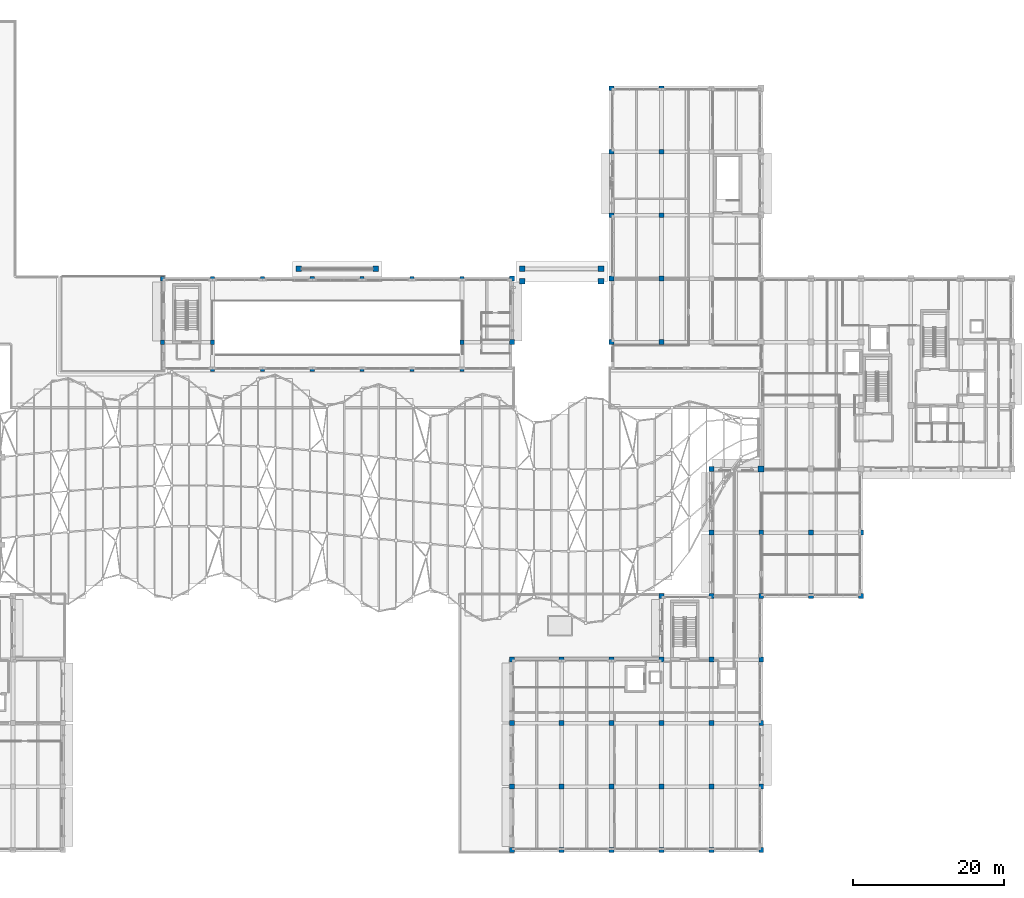
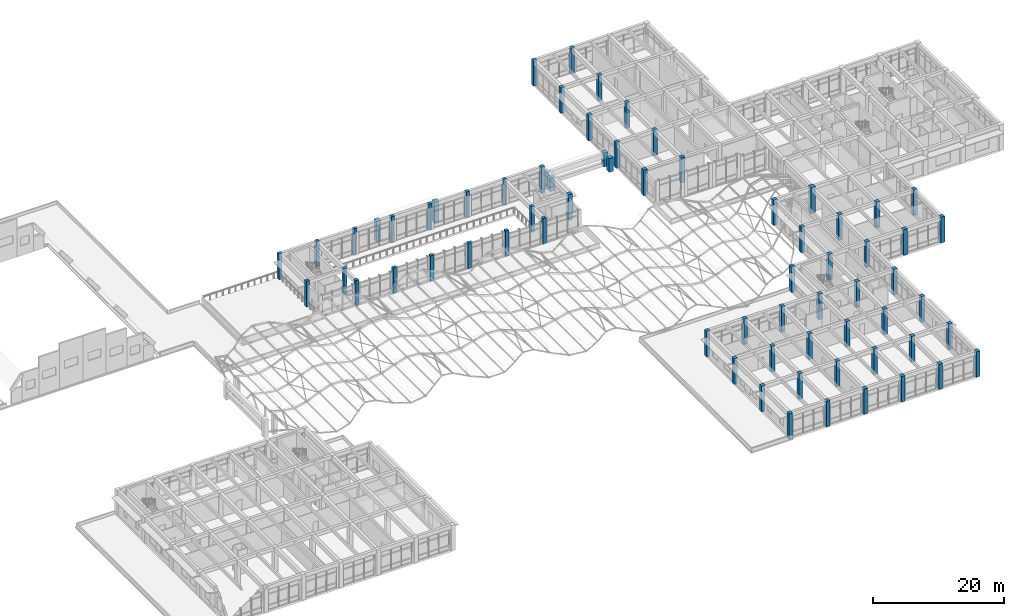
# One storey, part 3 of 79: 69 columns.
"""IFC4 building model written with IfcOpenShell, lengths in metres."""

from ifc_helpers import new_model, si_unit, direction, frame, origin, origin_2d, place, context, subcontext, project, spatial, rectangle, extrude, material, material_profile, profile_set, type_object, element, save


model = new_model("IFC4")

# Units and contexts
model_context = context("Model", 3, precision=1e-05, world=origin(), true_north=direction((0.0, 1.0)))
body_context = subcontext(model_context, "Body", "Model", "MODEL_VIEW")
ifc_project = project(units=[si_unit("LENGTHUNIT", "METRE"), si_unit("AREAUNIT", "SQUARE_METRE"), si_unit("VOLUMEUNIT", "CUBIC_METRE"), si_unit("PLANEANGLEUNIT", "RADIAN"), si_unit("MASSUNIT", "GRAM", prefix="KILO")], contexts=[model_context])

# Site, building, storey
site_placement = place(None, origin())
site = spatial("IfcSite", under=ifc_project, at=site_placement, CompositionType="ELEMENT")
building_placement = place(site_placement, origin())
building = spatial("IfcBuilding", under=site, at=building_placement, Name="Kolvaren Faculty of Natural Sciences", CompositionType="ELEMENT")
storey_placement = place(building_placement, frame((0.0, 0.0, 10.199951171875)))
storey = spatial("IfcBuildingStorey", under=building, at=storey_placement, Name="L02", CompositionType="ELEMENT", Elevation=10.199951171875)

# Columns
ifc_material_1 = material(Name="Concrete C40/50", Category="concrete")
ifc_material_profile_1 = material_profile(ifc_material_1, rectangle(XDim=0.75, YDim=0.75, at=origin_2d()), Name="RC COL 750x750")
ifc_profile_set_1 = profile_set([ifc_material_profile_1], Name="Concrete C40/50")
column_type_1 = type_object("IfcColumnType", Name="TowerColumn_750x750", PredefinedType="COLUMN", material=ifc_profile_set_1)
for number, where, z_axis, x_axis, name in (
    (1, (77.60009765625, 85.5, 0.0), (0.0, 0.0, 1.0), (1.0, 0.0, 0.0), "North Civic Square Grand Atrium Pishtaq Portal monumental pier L (L02)"),
    (2, (87.800048828125, 85.5, 0.0), (0.0, 0.0, 1.0), (1.0, 0.0, 0.0), "North Civic Square Grand Atrium Pishtaq Portal monumental pier R (L02)"),
):
    element("IfcColumn", number, at=place(storey_placement, frame(where, z_axis=z_axis, x_axis=x_axis)), inside=storey, type_object=column_type_1, Name=name, PredefinedType="COLUMN", context=body_context, shape_type="SweptSolid", body=[
        extrude(rectangle(XDim=0.75, YDim=0.75, at=origin_2d()), origin(), (0.0, 0.0, 1.0), 3.949951171875),
    ])
for number, where, z_axis, x_axis, name in (
    (3, (107.199951171875, 85.5, 0.0), (0.0, 0.0, 1.0), (1.0, 0.0, 0.0), "North-East Square-to-Street Breezeway Pishtaq Portal monumental pier L (L02)"),
    (4, (117.60009765625, 85.5, 0.0), (0.0, 0.0, 1.0), (1.0, 0.0, 0.0), "North-East Square-to-Street Breezeway Pishtaq Portal monumental pier R (L02)"),
    (5, (107.199951171875, 83.85009765625, 0.0), (0.0, 0.0, 1.0), (1.0, 0.0, 0.0), "North-East Square-to-Street Breezeway Pishtaq Portal monumental pier LB (L02)"),
    (6, (117.60009765625, 83.85009765625, 0.0), (0.0, 0.0, 1.0), (1.0, 0.0, 0.0), "North-East Square-to-Street Breezeway Pishtaq Portal monumental pier RB (L02)"),
):
    element("IfcColumn", number, at=place(storey_placement, frame(where, z_axis=z_axis, x_axis=x_axis)), inside=storey, type_object=column_type_1, Name=name, PredefinedType="COLUMN", context=body_context, shape_type="SweptSolid", body=[
        extrude(rectangle(XDim=0.75, YDim=0.75, at=origin_2d()), origin(), (0.0, 0.0, 1.0), 2.550048828125),
    ])
ifc_material_profile_2 = material_profile(ifc_material_1, rectangle(XDim=0.800048828125, YDim=0.800048828125, at=origin_2d()), Name="RC COL 800x800")
ifc_profile_set_2 = profile_set([ifc_material_profile_2], Name="Concrete C40/50")
column_type_2 = type_object("IfcColumnType", Name="TowerColumn_800x800", PredefinedType="COLUMN", material=ifc_profile_set_2)
column_1_placement = place(storey_placement, frame((138.800048828125, 59.0, 0.0), z_axis=(0.0, 0.0, 1.0), x_axis=(1.0, 0.0, 0.0)))
element("IfcColumn", 7, at=column_1_placement, inside=storey, type_object=column_type_2, Name="L02 column TC-80 at 22/H", PredefinedType="COLUMN", context=body_context, shape_type="SweptSolid", body=[
    extrude(rectangle(XDim=0.800048828125, YDim=0.800048828125, at=origin_2d()), origin(), (0.0, 0.0, 1.0), 4.800048828125),
])
ifc_material_2 = material(Name="Concrete C35/45", Category="concrete")
ifc_material_profile_3 = material_profile(ifc_material_2, rectangle(XDim=0.550048828125, YDim=0.550048828125, at=origin_2d()), Name="RC COL 550x550")
ifc_profile_set_3 = profile_set([ifc_material_profile_3], Name="Concrete C35/45")
column_type_3 = type_object("IfcColumnType", Name="UpperColumn_550x550", PredefinedType="COLUMN", material=ifc_profile_set_3)
for number, where, z_axis, x_axis, name in (
    (8, (59.60009765625, 75.800048828125, 0.0), (0.0, 0.0, 1.0), (1.0, 0.0, 0.0), "L02 column UC-55 at 10/K"),
    (9, (59.60009765625, 84.199951171875, 0.0), (0.0, 0.0, 1.0), (1.0, 0.0, 0.0), "L02 column UC-55 at 10/L"),
    (10, (66.199951171875, 75.800048828125, 0.0), (0.0, 0.0, 1.0), (1.0, 0.0, 0.0), "L02 column UC-55 at 11/K"),
    (11, (66.199951171875, 84.199951171875, 0.0), (0.0, 0.0, 1.0), (1.0, 0.0, 0.0), "L02 column UC-55 at 11/L"),
    (12, (72.800048828125, 84.199951171875, 0.0), (0.0, 0.0, 1.0), (1.0, 0.0, 0.0), "L02 column UC-55 at 12/L"),
    (13, (79.39990234375, 84.199951171875, 0.0), (0.0, 0.0, 1.0), (1.0, 0.0, 0.0), "L02 column UC-55 at 13/L"),
    (14, (86.0, 84.199951171875, 0.0), (0.0, 0.0, 1.0), (1.0, 0.0, 0.0), "L02 column UC-55 at 14/L"),
    (15, (92.60009765625, 84.199951171875, 0.0), (0.0, 0.0, 1.0), (1.0, 0.0, 0.0), "L02 column UC-55 at 15/L"),
    (16, (99.199951171875, 75.800048828125, 0.0), (0.0, 0.0, 1.0), (1.0, 0.0, 0.0), "L02 column UC-55 at 16/K"),
    (17, (99.199951171875, 84.199951171875, 0.0), (0.0, 0.0, 1.0), (1.0, 0.0, 0.0), "L02 column UC-55 at 16/L"),
    (18, (66.199951171875, 72.199951171875, 0.0), (0.0, 0.0, 1.0), (1.0, 0.0, 0.0), "L02 atrium vault springing column UC-55 at X=66.2"),
    (19, (72.800048828125, 72.199951171875, 0.0), (0.0, 0.0, 1.0), (1.0, 0.0, 0.0), "L02 atrium vault springing column UC-55 at X=72.8"),
    (20, (79.39990234375, 72.199951171875, 0.0), (0.0, 0.0, 1.0), (1.0, 0.0, 0.0), "L02 atrium vault springing column UC-55 at X=79.4"),
    (21, (86.0, 72.199951171875, 0.0), (0.0, 0.0, 1.0), (1.0, 0.0, 0.0), "L02 atrium vault springing column UC-55 at X=86.0"),
    (22, (92.60009765625, 72.199951171875, 0.0), (0.0, 0.0, 1.0), (1.0, 0.0, 0.0), "L02 atrium vault springing column UC-55 at X=92.6"),
    (23, (99.199951171875, 72.199951171875, 0.0), (0.0, 0.0, 1.0), (1.0, 0.0, 0.0), "L02 atrium vault springing column UC-55 at X=99.2"),
):
    element("IfcColumn", number, at=place(storey_placement, frame(where, z_axis=z_axis, x_axis=x_axis)), inside=storey, type_object=column_type_3, Name=name, PredefinedType="COLUMN", context=body_context, shape_type="SweptSolid", body=[
        extrude(rectangle(XDim=0.550048828125, YDim=0.550048828125, at=origin_2d()), origin(), (0.0, 0.0, 1.0), 4.800048828125),
    ])
ifc_material_profile_4 = material_profile(ifc_material_2, rectangle(XDim=0.64990234375, YDim=0.64990234375, at=origin_2d()), Name="RC COL 650x650")
ifc_profile_set_4 = profile_set([ifc_material_profile_4], Name="Concrete C35/45")
column_type_4 = type_object("IfcColumnType", Name="WingColumn_650x650", PredefinedType="COLUMN", material=ifc_profile_set_4)
column_2_placement = place(storey_placement, frame((105.800048828125, 8.60009765625, 0.0), z_axis=(0.0, 0.0, 1.0), x_axis=(1.0, 0.0, 0.0)))
element("IfcColumn", 24, at=column_2_placement, inside=storey, type_object=column_type_4, Name="L02 column WC-65 at 17/B", PredefinedType="COLUMN", context=body_context, shape_type="SweptSolid", body=[
    extrude(rectangle(XDim=0.64990234375, YDim=0.64990234375, at=origin_2d()), origin(), (0.0, 0.0, 1.0), 4.739990234375),
])
for number, where, z_axis, x_axis, name in (
    (25, (105.800048828125, 17.0, 0.0), (0.0, 0.0, 1.0), (1.0, 0.0, 0.0), "L02 column WC-65 at 17/C"),
    (26, (105.800048828125, 25.39990234375, 0.0), (0.0, 0.0, 1.0), (1.0, 0.0, 0.0), "L02 column WC-65 at 17/D"),
    (27, (105.800048828125, 33.800048828125, 0.0), (0.0, 0.0, 1.0), (1.0, 0.0, 0.0), "L02 column WC-65 at 17/E"),
    (28, (105.800048828125, 75.800048828125, 0.0), (0.0, 0.0, 1.0), (1.0, 0.0, 0.0), "L02 column WC-65 at 17/K"),
    (29, (105.800048828125, 84.199951171875, 0.0), (0.0, 0.0, 1.0), (1.0, 0.0, 0.0), "L02 column WC-65 at 17/L"),
):
    element("IfcColumn", number, at=place(storey_placement, frame(where, z_axis=z_axis, x_axis=x_axis)), inside=storey, type_object=column_type_4, Name=name, PredefinedType="COLUMN", context=body_context, shape_type="SweptSolid", body=[
        extrude(rectangle(XDim=0.64990234375, YDim=0.64990234375, at=origin_2d()), origin(), (0.0, 0.0, 1.0), 4.800048828125),
    ])
column_3_placement = place(storey_placement, frame((112.39990234375, 8.60009765625, 0.0), z_axis=(0.0, 0.0, 1.0), x_axis=(1.0, 0.0, 0.0)))
element("IfcColumn", 30, at=column_3_placement, inside=storey, type_object=column_type_4, Name="L02 column WC-65 at 18/B", PredefinedType="COLUMN", context=body_context, shape_type="SweptSolid", body=[
    extrude(rectangle(XDim=0.64990234375, YDim=0.64990234375, at=origin_2d()), origin(), (0.0, 0.0, 1.0), 4.739990234375),
])
for number, where, z_axis, x_axis, name in (
    (31, (112.39990234375, 17.0, 0.0), (0.0, 0.0, 1.0), (1.0, 0.0, 0.0), "L02 column WC-65 at 18/C"),
    (32, (112.39990234375, 25.39990234375, 0.0), (0.0, 0.0, 1.0), (1.0, 0.0, 0.0), "L02 column WC-65 at 18/D"),
    (33, (112.39990234375, 33.800048828125, 0.0), (0.0, 0.0, 1.0), (1.0, 0.0, 0.0), "L02 column WC-65 at 18/E"),
):
    element("IfcColumn", number, at=place(storey_placement, frame(where, z_axis=z_axis, x_axis=x_axis)), inside=storey, type_object=column_type_4, Name=name, PredefinedType="COLUMN", context=body_context, shape_type="SweptSolid", body=[
        extrude(rectangle(XDim=0.64990234375, YDim=0.64990234375, at=origin_2d()), origin(), (0.0, 0.0, 1.0), 4.800048828125),
    ])
column_4_placement = place(storey_placement, frame((119.0, 8.60009765625, 0.0), z_axis=(0.0, 0.0, 1.0), x_axis=(1.0, 0.0, 0.0)))
element("IfcColumn", 34, at=column_4_placement, inside=storey, type_object=column_type_4, Name="L02 column WC-65 at 19/B", PredefinedType="COLUMN", context=body_context, shape_type="SweptSolid", body=[
    extrude(rectangle(XDim=0.64990234375, YDim=0.64990234375, at=origin_2d()), origin(), (0.0, 0.0, 1.0), 4.739990234375),
])
for number, where, z_axis, x_axis, name in (
    (35, (119.0, 17.0, 0.0), (0.0, 0.0, 1.0), (1.0, 0.0, 0.0), "L02 column WC-65 at 19/C"),
    (36, (119.0, 25.39990234375, 0.0), (0.0, 0.0, 1.0), (1.0, 0.0, 0.0), "L02 column WC-65 at 19/D"),
    (37, (119.0, 33.800048828125, 0.0), (0.0, 0.0, 1.0), (1.0, 0.0, 0.0), "L02 column WC-65 at 19/E"),
):
    element("IfcColumn", number, at=place(storey_placement, frame(where, z_axis=z_axis, x_axis=x_axis)), inside=storey, type_object=column_type_4, Name=name, PredefinedType="COLUMN", context=body_context, shape_type="SweptSolid", body=[
        extrude(rectangle(XDim=0.64990234375, YDim=0.64990234375, at=origin_2d()), origin(), (0.0, 0.0, 1.0), 4.800048828125),
    ])
for number, where, z_axis, x_axis, name in (
    (38, (119.0, 75.800048828125, 0.0), (0.0, 0.0, 1.0), (1.0, 0.0, 0.0), "L02 column WC-65 at 19/K"),
    (39, (119.0, 84.199951171875, 0.0), (0.0, 0.0, 1.0), (1.0, 0.0, 0.0), "L02 column WC-65 at 19/L"),
    (40, (119.0, 92.60009765625, 0.0), (0.0, 0.0, 1.0), (1.0, 0.0, 0.0), "L02 column WC-65 at 19/M"),
    (41, (119.0, 101.0, 0.0), (0.0, 0.0, 1.0), (1.0, 0.0, 0.0), "L02 column WC-65 at 19/N"),
    (42, (119.0, 109.39990234375, 0.0), (0.0, 0.0, 1.0), (1.0, 0.0, 0.0), "L02 column WC-65 at 19/P"),
    (43, (125.60009765625, 8.60009765625, 0.0), (0.0, 0.0, 1.0), (1.0, 0.0, 0.0), "L02 column WC-65 at 20/B"),
):
    element("IfcColumn", number, at=place(storey_placement, frame(where, z_axis=z_axis, x_axis=x_axis)), inside=storey, type_object=column_type_4, Name=name, PredefinedType="COLUMN", context=body_context, shape_type="SweptSolid", body=[
        extrude(rectangle(XDim=0.64990234375, YDim=0.64990234375, at=origin_2d()), origin(), (0.0, 0.0, 1.0), 4.739990234375),
    ])
for number, where, z_axis, x_axis, name in (
    (44, (125.60009765625, 17.0, 0.0), (0.0, 0.0, 1.0), (1.0, 0.0, 0.0), "L02 column WC-65 at 20/C"),
    (45, (125.60009765625, 25.39990234375, 0.0), (0.0, 0.0, 1.0), (1.0, 0.0, 0.0), "L02 column WC-65 at 20/D"),
    (46, (125.60009765625, 33.800048828125, 0.0), (0.0, 0.0, 1.0), (1.0, 0.0, 0.0), "L02 column WC-65 at 20/E"),
    (47, (125.60009765625, 42.199951171875, 0.0), (0.0, 0.0, 1.0), (1.0, 0.0, 0.0), "L02 column WC-65 at 20/F"),
):
    element("IfcColumn", number, at=place(storey_placement, frame(where, z_axis=z_axis, x_axis=x_axis)), inside=storey, type_object=column_type_4, Name=name, PredefinedType="COLUMN", context=body_context, shape_type="SweptSolid", body=[
        extrude(rectangle(XDim=0.64990234375, YDim=0.64990234375, at=origin_2d()), origin(), (0.0, 0.0, 1.0), 4.800048828125),
    ])
for number, where, z_axis, x_axis, name in (
    (48, (125.60009765625, 75.800048828125, 0.0), (0.0, 0.0, 1.0), (1.0, 0.0, 0.0), "L02 column WC-65 at 20/K"),
    (49, (125.60009765625, 84.199951171875, 0.0), (0.0, 0.0, 1.0), (1.0, 0.0, 0.0), "L02 column WC-65 at 20/L"),
    (50, (125.60009765625, 92.60009765625, 0.0), (0.0, 0.0, 1.0), (1.0, 0.0, 0.0), "L02 column WC-65 at 20/M"),
    (51, (125.60009765625, 101.0, 0.0), (0.0, 0.0, 1.0), (1.0, 0.0, 0.0), "L02 column WC-65 at 20/N"),
    (52, (125.60009765625, 109.39990234375, 0.0), (0.0, 0.0, 1.0), (1.0, 0.0, 0.0), "L02 column WC-65 at 20/P"),
    (53, (132.199951171875, 8.60009765625, 0.0), (0.0, 0.0, 1.0), (1.0, 0.0, 0.0), "L02 column WC-65 at 21/B"),
):
    element("IfcColumn", number, at=place(storey_placement, frame(where, z_axis=z_axis, x_axis=x_axis)), inside=storey, type_object=column_type_4, Name=name, PredefinedType="COLUMN", context=body_context, shape_type="SweptSolid", body=[
        extrude(rectangle(XDim=0.64990234375, YDim=0.64990234375, at=origin_2d()), origin(), (0.0, 0.0, 1.0), 4.739990234375),
    ])
for number, where, z_axis, x_axis, name in (
    (54, (132.199951171875, 17.0, 0.0), (0.0, 0.0, 1.0), (1.0, 0.0, 0.0), "L02 column WC-65 at 21/C"),
    (55, (132.199951171875, 25.39990234375, 0.0), (0.0, 0.0, 1.0), (1.0, 0.0, 0.0), "L02 column WC-65 at 21/D"),
    (56, (132.199951171875, 33.800048828125, 0.0), (0.0, 0.0, 1.0), (1.0, 0.0, 0.0), "L02 column WC-65 at 21/E"),
    (57, (132.199951171875, 42.199951171875, 0.0), (0.0, 0.0, 1.0), (1.0, 0.0, 0.0), "L02 column WC-65 at 21/F"),
):
    element("IfcColumn", number, at=place(storey_placement, frame(where, z_axis=z_axis, x_axis=x_axis)), inside=storey, type_object=column_type_4, Name=name, PredefinedType="COLUMN", context=body_context, shape_type="SweptSolid", body=[
        extrude(rectangle(XDim=0.64990234375, YDim=0.64990234375, at=origin_2d()), origin(), (0.0, 0.0, 1.0), 4.800048828125),
    ])
for number, where, z_axis, x_axis, name in (
    (58, (132.199951171875, 50.60009765625, 0.0), (0.0, 0.0, 1.0), (1.0, 0.0, 0.0), "L02 column WC-65 at 21/G"),
    (59, (132.199951171875, 59.0, 0.0), (0.0, 0.0, 1.0), (1.0, 0.0, 0.0), "L02 column WC-65 at 21/H"),
    (60, (138.800048828125, 8.60009765625, 0.0), (0.0, 0.0, 1.0), (1.0, 0.0, 0.0), "L02 column WC-65 at 22/B"),
):
    element("IfcColumn", number, at=place(storey_placement, frame(where, z_axis=z_axis, x_axis=x_axis)), inside=storey, type_object=column_type_4, Name=name, PredefinedType="COLUMN", context=body_context, shape_type="SweptSolid", body=[
        extrude(rectangle(XDim=0.64990234375, YDim=0.64990234375, at=origin_2d()), origin(), (0.0, 0.0, 1.0), 4.739990234375),
    ])
for number, where, z_axis, x_axis, name in (
    (61, (138.800048828125, 17.0, 0.0), (0.0, 0.0, 1.0), (1.0, 0.0, 0.0), "L02 column WC-65 at 22/C"),
    (62, (138.800048828125, 25.39990234375, 0.0), (0.0, 0.0, 1.0), (1.0, 0.0, 0.0), "L02 column WC-65 at 22/D"),
    (63, (138.800048828125, 33.800048828125, 0.0), (0.0, 0.0, 1.0), (1.0, 0.0, 0.0), "L02 column WC-65 at 22/E"),
    (64, (138.800048828125, 42.199951171875, 0.0), (0.0, 0.0, 1.0), (1.0, 0.0, 0.0), "L02 column WC-65 at 22/F"),
    (65, (138.800048828125, 50.60009765625, 0.0), (0.0, 0.0, 1.0), (1.0, 0.0, 0.0), "L02 column WC-65 at 22/G"),
    (66, (145.39990234375, 42.199951171875, 0.0), (0.0, 0.0, 1.0), (1.0, 0.0, 0.0), "L02 column WC-65 at 23/F"),
    (67, (145.39990234375, 50.60009765625, 0.0), (0.0, 0.0, 1.0), (1.0, 0.0, 0.0), "L02 column WC-65 at 23/G"),
    (68, (152.0, 42.199951171875, 0.0), (0.0, 0.0, 1.0), (1.0, 0.0, 0.0), "L02 column WC-65 at 24/F"),
    (69, (152.0, 50.60009765625, 0.0), (0.0, 0.0, 1.0), (1.0, 0.0, 0.0), "L02 column WC-65 at 24/G"),
):
    element("IfcColumn", number, at=place(storey_placement, frame(where, z_axis=z_axis, x_axis=x_axis)), inside=storey, type_object=column_type_4, Name=name, PredefinedType="COLUMN", context=body_context, shape_type="SweptSolid", body=[
        extrude(rectangle(XDim=0.64990234375, YDim=0.64990234375, at=origin_2d()), origin(), (0.0, 0.0, 1.0), 4.800048828125),
    ])

save(model, "model.ifc")
